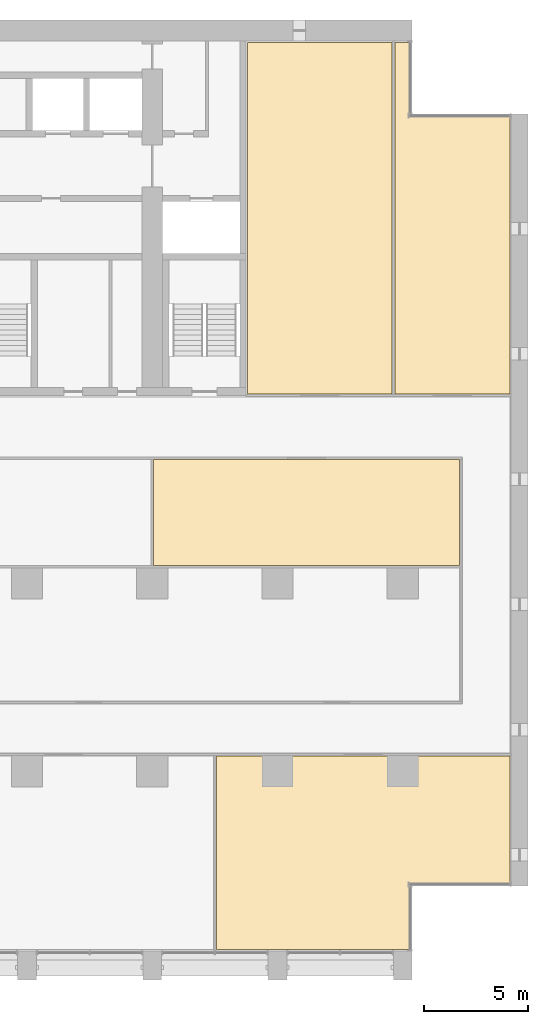
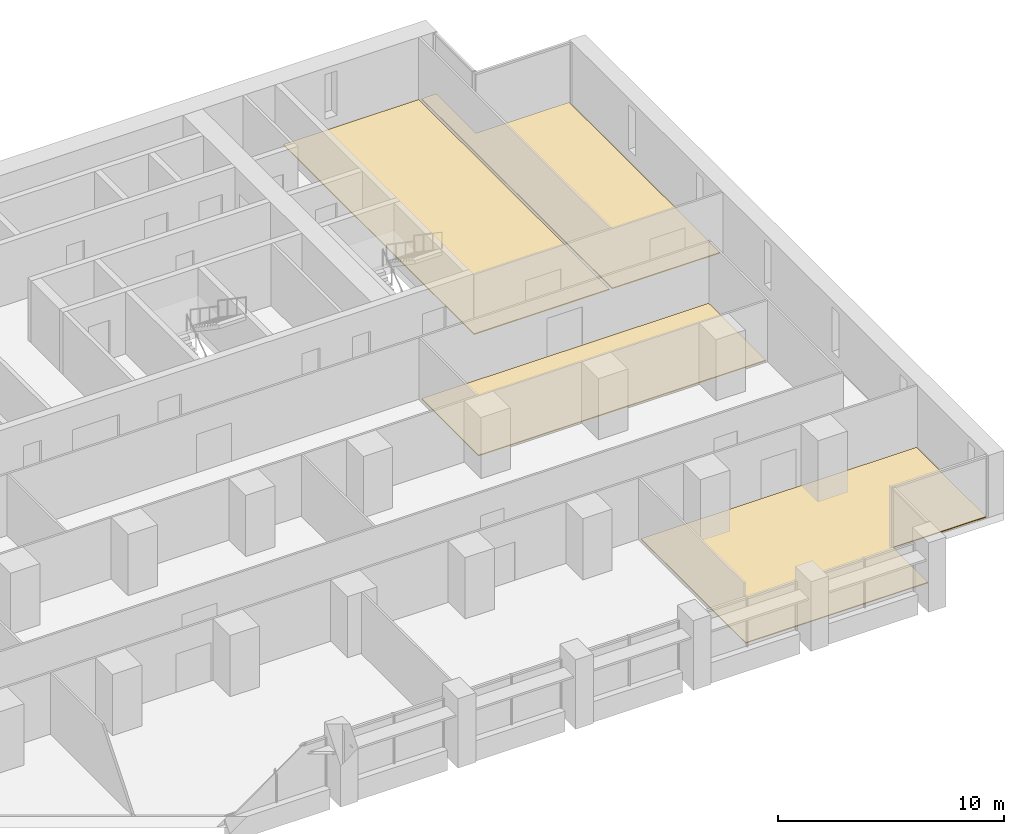
# One storey, part 18 of 18: 4 coverings.
"""IFC4 building model written with IfcOpenShell, lengths in metres."""

import ifcopenshell
import ifcopenshell.guid

model = None  # the IFC model being written
_history = None  # IfcOwnerHistory: only IFC2X3 demands one
_inside = {}  # id of a spatial element -> (the spatial element, [elements in it])
_under = {}  # id of a project, library or spatial element -> (it, [spatial elements below it])
_declared = {}  # id of a project -> (the project, [libraries it declares])
_typed = {}  # id of a type object -> (the type object, [elements of that type])
_made_of = {}  # id of a material, layer set ... -> (it, [elements and type objects made of it])


def new_model(schema):
    """Start an empty IFC model of exactly this schema.

    Asked for "IFC4X3", IfcOpenShell would pick the latest addendum, in which some entities
    have other attributes; the version numbers below select the first issue.
    IFC2X3 requires an IfcOwnerHistory on every rooted entity: one is made here for all.
    """
    global model, _history
    if schema == "IFC4X3":
        model = ifcopenshell.file(schema_version=(4, 3, 0, 0))
    else:
        model = ifcopenshell.file(schema=schema)
    _inside.clear()
    _under.clear()
    _declared.clear()
    _typed.clear()
    _made_of.clear()
    _history = None
    if model.schema == "IFC2X3":
        org = make("IfcOrganization", Name="unknown")
        user = make(
            "IfcPersonAndOrganization",
            ThePerson=make("IfcPerson", FamilyName="unknown"),
            TheOrganization=org,
        )
        app = make(
            "IfcApplication",
            ApplicationDeveloper=org,
            Version="unknown",
            ApplicationFullName="unknown",
            ApplicationIdentifier="unknown",
        )
        _history = make(
            "IfcOwnerHistory",
            OwningUser=user,
            OwningApplication=app,
            ChangeAction="ADDED",
            CreationDate=0,
        )
    return model


def make(cls, **values):
    """One entity of the class cls with the attributes given. An attribute that is None is left unset."""
    return model.create_entity(
        cls, **{name: value for name, value in values.items() if value is not None}
    )


def rooted(cls, **values):
    """An entity with a GlobalId (a new one), such as an element, a storey or a relation."""
    return make(cls, GlobalId=ifcopenshell.guid.new(), OwnerHistory=_history, **values)


def si_unit(unit_type, name, prefix=None):
    """IfcSIUnit, for example si_unit("LENGTHUNIT", "METRE", prefix="MILLI")."""
    return make("IfcSIUnit", UnitType=unit_type, Prefix=prefix, Name=name)


def assignment(units):
    """IfcUnitAssignment: the units of a project."""
    return None if units is None else make("IfcUnitAssignment", Units=units)


def point(xyz):
    """IfcCartesianPoint."""
    return None if xyz is None else make("IfcCartesianPoint", Coordinates=xyz)


def direction(xyz):
    """IfcDirection."""
    return None if xyz is None else make("IfcDirection", DirectionRatios=xyz)


def frame(location, z_axis=None, x_axis=None):
    """IfcAxis2Placement3D, a coordinate frame: its origin and axes. An axis left out is left unset."""
    return make(
        "IfcAxis2Placement3D",
        Location=point(location),
        Axis=direction(z_axis),
        RefDirection=direction(x_axis),
    )


def origin():
    """The frame at (0, 0, 0) with its axes left unset."""
    return frame((0.0, 0.0, 0.0))


def place(relative_to, where):
    """IfcLocalPlacement: puts the frame where relative to a parent placement (None: the world)."""
    return make(
        "IfcLocalPlacement", PlacementRelTo=relative_to, RelativePlacement=where
    )


def context(
    kind, dimensions, precision=None, world=None, true_north=None, identifier=None
):
    """IfcGeometricRepresentationContext, for example the 3D "Model" context."""
    return make(
        "IfcGeometricRepresentationContext",
        ContextIdentifier=identifier,
        ContextType=kind,
        CoordinateSpaceDimension=dimensions,
        Precision=precision,
        WorldCoordinateSystem=world,
        TrueNorth=true_north,
    )


def subcontext(parent, identifier, kind, view, scale=None):
    """IfcGeometricRepresentationSubContext, for example "Body" below "Model"."""
    return make(
        "IfcGeometricRepresentationSubContext",
        ContextIdentifier=identifier,
        ContextType=kind,
        ParentContext=parent,
        TargetScale=scale,
        TargetView=view,
    )


def project(units=None, contexts=None):
    """IfcProject with its units and contexts."""
    return rooted(
        "IfcProject",
        Name="project",
        RepresentationContexts=contexts,
        UnitsInContext=assignment(units),
    )


def spatial(cls, under=None, at=None, **own):
    """A site, building, storey or space (cls), placed at a placement, below another one or the project."""
    s = rooted(cls, ObjectPlacement=at, **own)
    if under is not None:
        _under.setdefault(under.id(), (under, []))[1].append(s)
    return s


def polyline(points):
    """IfcPolyline through the points."""
    return make("IfcPolyline", Points=[point(p) for p in points])


def outline(outer, holes=None, kind="AREA"):
    """IfcArbitraryClosedProfileDef: a profile drawn as a closed curve; with holes, ...WithVoids."""
    if holes is None:
        return make("IfcArbitraryClosedProfileDef", ProfileType=kind, OuterCurve=outer)
    return make(
        "IfcArbitraryProfileDefWithVoids",
        ProfileType=kind,
        OuterCurve=outer,
        InnerCurves=holes,
    )


def extrude(swept, where, along, depth):
    """IfcExtrudedAreaSolid: the profile swept, set in the frame where, extruded along a direction by depth."""
    return make(
        "IfcExtrudedAreaSolid",
        SweptArea=swept,
        Position=where,
        ExtrudedDirection=direction(along),
        Depth=depth,
    )


def shape(context_of_items, identifier, shape_type, items):
    """IfcShapeRepresentation: the items that make up one representation, for example the "Body"."""
    return make(
        "IfcShapeRepresentation",
        ContextOfItems=context_of_items,
        RepresentationIdentifier=identifier,
        RepresentationType=shape_type,
        Items=items,
    )


def material(Name=None, Category=None):
    """IfcMaterial."""
    return make("IfcMaterial", Name=Name, Category=Category)


def layer(
    of_material, thickness, ventilated=None, Name=None, Category=None, Priority=None
):
    """IfcMaterialLayer: one layer of a wall or slab, of a material (None: an air gap)."""
    return make(
        "IfcMaterialLayer",
        Material=of_material,
        LayerThickness=thickness,
        IsVentilated=ventilated,
        Name=Name,
        Category=Category,
        Priority=Priority,
    )


def layer_set(layers, Name=None):
    """IfcMaterialLayerSet."""
    return make("IfcMaterialLayerSet", MaterialLayers=layers, LayerSetName=Name)


def made_of(thing, what):
    """Note that an element or type object is made of a material, layer set ...; save() writes the relation."""
    if what is not None:
        _made_of.setdefault(what.id(), (what, []))[1].append(thing)
    return thing


def type_object(cls, material=None, **own):
    """A type object (cls), such as IfcWallType, which elements share."""
    return made_of(rooted(cls, **own), material)


def element(
    cls,
    number,
    at=None,
    inside=None,
    cuts=None,
    type_object=None,
    material=None,
    context=None,
    identifier="Body",
    shape_type=None,
    held_by="IfcProductDefinitionShape",
    body=None,
    shapes=None,
    **own,
):
    """One element of the class cls, such as IfcWall. Its Tag is "e" and its number.

    at: its placement. inside: the storey or other place that contains it. cuts: it is an
    opening in that element (IfcRelVoidsElement). A single representation is given by context,
    identifier, shape_type and body (its items); several are given by shapes. held_by: the class
    of the entity that holds the representations. save() writes the other relations.
    """
    e = rooted(cls, Tag="e%d" % number, ObjectPlacement=at, **own)
    if body is not None:
        shapes = [shape(context, identifier, shape_type, body)]
    if shapes is not None:
        e.Representation = make(held_by, Representations=shapes)
    if inside is not None:
        _inside.setdefault(inside.id(), (inside, []))[1].append(e)
    if cuts is not None:
        rooted(
            "IfcRelVoidsElement", RelatingBuildingElement=cuts, RelatedOpeningElement=e
        )
    if type_object is not None:
        _typed.setdefault(type_object.id(), (type_object, []))[1].append(e)
    return made_of(e, material)


def aggregate(whole, parts):
    """IfcRelAggregates: a whole, such as a stair, and the parts it consists of."""
    return rooted("IfcRelAggregates", RelatingObject=whole, RelatedObjects=parts)


def save(model, path):
    """Write the relations noted so far, then the file.

    IfcRelAggregates (storeys below a building ...), IfcRelContainedInSpatialStructure (elements
    in a storey), IfcRelDefinesByType, IfcRelAssociatesMaterial and IfcRelDeclares: one each for
    every whole, place, type object, material and project.
    """
    for whole, parts in _under.values():
        aggregate(whole, parts)
    for where, things in _inside.values():
        rooted(
            "IfcRelContainedInSpatialStructure",
            RelatedElements=things,
            RelatingStructure=where,
        )
    for kind, things in _typed.values():
        rooted("IfcRelDefinesByType", RelatedObjects=things, RelatingType=kind)
    for what, things in _made_of.values():
        rooted("IfcRelAssociatesMaterial", RelatedObjects=things, RelatingMaterial=what)
    for by, libraries in _declared.values():
        rooted("IfcRelDeclares", RelatingContext=by, RelatedDefinitions=libraries)
    model.write(path)


model = new_model("IFC4")

# Units and contexts
model_context = context("Model", 3, precision=1e-05, world=origin(), true_north=direction((0.0, 1.0)))
body_context = subcontext(model_context, "Body", "Model", "MODEL_VIEW")
ifc_project = project(units=[si_unit("LENGTHUNIT", "METRE"), si_unit("AREAUNIT", "SQUARE_METRE"), si_unit("VOLUMEUNIT", "CUBIC_METRE"), si_unit("PLANEANGLEUNIT", "RADIAN"), si_unit("MASSUNIT", "GRAM", prefix="KILO")], contexts=[model_context])

# Site, building, storey
site_placement = place(None, origin())
site = spatial("IfcSite", under=ifc_project, at=site_placement, CompositionType="ELEMENT")
building_placement = place(site_placement, origin())
building = spatial("IfcBuilding", under=site, at=building_placement, Name="Calvaro Tower", CompositionType="ELEMENT")
storey_placement = place(building_placement, frame((0.0, 0.0, 82.5)))
storey = spatial("IfcBuildingStorey", under=building, at=storey_placement, Name="L20", CompositionType="ELEMENT", Elevation=82.5)

# Coverings
ifc_material = material(Name="Cement screed with carpet tile finish")
ifc_layer = layer(ifc_material, 0.050048828125)
ifc_layer_set = layer_set([ifc_layer], Name="Cement screed with carpet tile finish")
covering_type = type_object("IfcCoveringType", Name="Floor finish 50", PredefinedType="FLOORING", material=ifc_layer_set)
covering_1_placement = place(storey_placement, origin())
element("IfcCovering", 1, at=covering_1_placement, inside=storey, type_object=covering_type, Name="Floor finish 14.06", PredefinedType="FLOORING", context=body_context, shape_type="SweptSolid", body=[
    extrude(outline(polyline([(77.1298828125, 4.570068359375), (72.3798828125, 4.570068359375), (72.3798828125, 1.469970703125), (63.070068359375, 1.469970703125), (63.070068359375, 10.72998046875), (77.1298828125, 10.72998046875), (77.1298828125, 4.570068359375)])), origin(), (0.0, 0.0, 1.0), 0.050048828125),
])
covering_2_placement = place(storey_placement, origin())
element("IfcCovering", 2, at=covering_2_placement, inside=storey, type_object=covering_type, Name="Floor finish 14.16", PredefinedType="FLOORING", context=body_context, shape_type="SweptSolid", body=[
    extrude(outline(polyline([(60.070068359375, 19.8701171875), (60.070068359375, 24.929931640625), (74.72998046875, 24.929931640625), (74.72998046875, 19.8701171875), (60.070068359375, 19.8701171875)])), origin(), (0.0, 0.0, 1.0), 0.050048828125),
])
covering_3_placement = place(storey_placement, origin())
element("IfcCovering", 3, at=covering_3_placement, inside=storey, type_object=covering_type, Name="Floor finish 14.19", PredefinedType="FLOORING", context=body_context, shape_type="SweptSolid", body=[
    extrude(outline(polyline([(71.47998046875, 28.070068359375), (64.570068359375, 28.070068359375), (64.570068359375, 44.929931640625), (71.47998046875, 44.929931640625), (71.47998046875, 28.070068359375)])), origin(), (0.0, 0.0, 1.0), 0.050048828125),
])
covering_4_placement = place(storey_placement, origin())
element("IfcCovering", 4, at=covering_4_placement, inside=storey, type_object=covering_type, Name="Floor finish 14.17", PredefinedType="FLOORING", context=body_context, shape_type="SweptSolid", body=[
    extrude(outline(polyline([(77.1298828125, 28.070068359375), (71.6201171875, 28.070068359375), (71.6201171875, 44.929931640625), (72.3798828125, 44.929931640625), (72.3798828125, 41.429931640625), (77.1298828125, 41.429931640625), (77.1298828125, 28.070068359375)])), origin(), (0.0, 0.0, 1.0), 0.050048828125),
])

save(model, "model.ifc")
